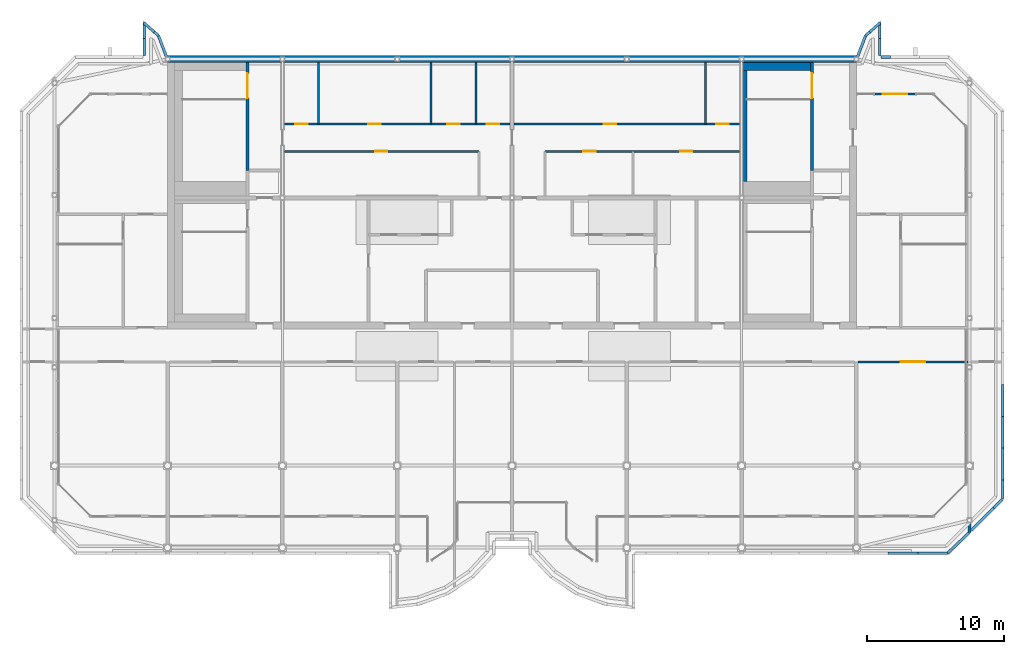
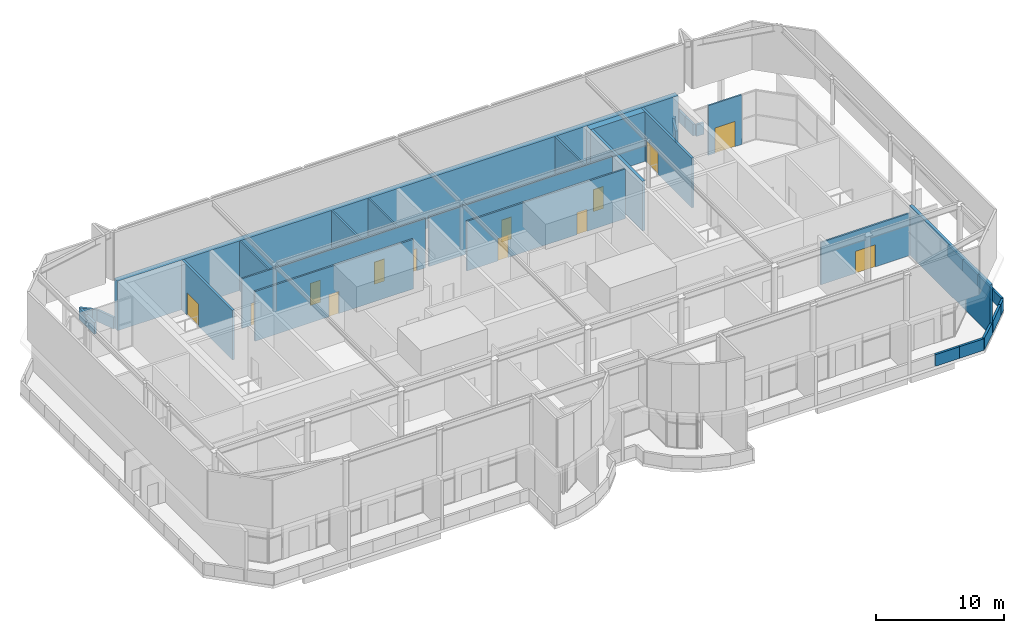
# One storey, part 22 of 25: 36 walls, 13 doors, 13 openings.
"""IFC4 building model written with IfcOpenShell, lengths in metres."""

import ifcopenshell
import ifcopenshell.guid

model = None  # the IFC model being written
_history = None  # IfcOwnerHistory: only IFC2X3 demands one
_inside = {}  # id of a spatial element -> (the spatial element, [elements in it])
_under = {}  # id of a project, library or spatial element -> (it, [spatial elements below it])
_declared = {}  # id of a project -> (the project, [libraries it declares])
_typed = {}  # id of a type object -> (the type object, [elements of that type])
_made_of = {}  # id of a material, layer set ... -> (it, [elements and type objects made of it])


def new_model(schema):
    """Start an empty IFC model of exactly this schema.

    Asked for "IFC4X3", IfcOpenShell would pick the latest addendum, in which some entities
    have other attributes; the version numbers below select the first issue.
    IFC2X3 requires an IfcOwnerHistory on every rooted entity: one is made here for all.
    """
    global model, _history
    if schema == "IFC4X3":
        model = ifcopenshell.file(schema_version=(4, 3, 0, 0))
    else:
        model = ifcopenshell.file(schema=schema)
    _inside.clear()
    _under.clear()
    _declared.clear()
    _typed.clear()
    _made_of.clear()
    _history = None
    if model.schema == "IFC2X3":
        org = make("IfcOrganization", Name="unknown")
        user = make(
            "IfcPersonAndOrganization",
            ThePerson=make("IfcPerson", FamilyName="unknown"),
            TheOrganization=org,
        )
        app = make(
            "IfcApplication",
            ApplicationDeveloper=org,
            Version="unknown",
            ApplicationFullName="unknown",
            ApplicationIdentifier="unknown",
        )
        _history = make(
            "IfcOwnerHistory",
            OwningUser=user,
            OwningApplication=app,
            ChangeAction="ADDED",
            CreationDate=0,
        )
    return model


def make(cls, **values):
    """One entity of the class cls with the attributes given. An attribute that is None is left unset."""
    return model.create_entity(
        cls, **{name: value for name, value in values.items() if value is not None}
    )


def rooted(cls, **values):
    """An entity with a GlobalId (a new one), such as an element, a storey or a relation."""
    return make(cls, GlobalId=ifcopenshell.guid.new(), OwnerHistory=_history, **values)


def si_unit(unit_type, name, prefix=None):
    """IfcSIUnit, for example si_unit("LENGTHUNIT", "METRE", prefix="MILLI")."""
    return make("IfcSIUnit", UnitType=unit_type, Prefix=prefix, Name=name)


def assignment(units):
    """IfcUnitAssignment: the units of a project."""
    return None if units is None else make("IfcUnitAssignment", Units=units)


def point(xyz):
    """IfcCartesianPoint."""
    return None if xyz is None else make("IfcCartesianPoint", Coordinates=xyz)


def direction(xyz):
    """IfcDirection."""
    return None if xyz is None else make("IfcDirection", DirectionRatios=xyz)


def frame(location, z_axis=None, x_axis=None):
    """IfcAxis2Placement3D, a coordinate frame: its origin and axes. An axis left out is left unset."""
    return make(
        "IfcAxis2Placement3D",
        Location=point(location),
        Axis=direction(z_axis),
        RefDirection=direction(x_axis),
    )


def frame_2d(location, x_axis=None):
    """IfcAxis2Placement2D, a coordinate frame in the plane: its origin and x axis."""
    return make(
        "IfcAxis2Placement2D", Location=point(location), RefDirection=direction(x_axis)
    )


def origin():
    """The frame at (0, 0, 0) with its axes left unset."""
    return frame((0.0, 0.0, 0.0))


def place(relative_to, where):
    """IfcLocalPlacement: puts the frame where relative to a parent placement (None: the world)."""
    return make(
        "IfcLocalPlacement", PlacementRelTo=relative_to, RelativePlacement=where
    )


def context(
    kind, dimensions, precision=None, world=None, true_north=None, identifier=None
):
    """IfcGeometricRepresentationContext, for example the 3D "Model" context."""
    return make(
        "IfcGeometricRepresentationContext",
        ContextIdentifier=identifier,
        ContextType=kind,
        CoordinateSpaceDimension=dimensions,
        Precision=precision,
        WorldCoordinateSystem=world,
        TrueNorth=true_north,
    )


def subcontext(parent, identifier, kind, view, scale=None):
    """IfcGeometricRepresentationSubContext, for example "Body" below "Model"."""
    return make(
        "IfcGeometricRepresentationSubContext",
        ContextIdentifier=identifier,
        ContextType=kind,
        ParentContext=parent,
        TargetScale=scale,
        TargetView=view,
    )


def project(units=None, contexts=None):
    """IfcProject with its units and contexts."""
    return rooted(
        "IfcProject",
        Name="project",
        RepresentationContexts=contexts,
        UnitsInContext=assignment(units),
    )


def spatial(cls, under=None, at=None, **own):
    """A site, building, storey or space (cls), placed at a placement, below another one or the project."""
    s = rooted(cls, ObjectPlacement=at, **own)
    if under is not None:
        _under.setdefault(under.id(), (under, []))[1].append(s)
    return s


def profile(cls, at=None, kind="AREA", **sizes):
    """A parametric profile (cls). Its sizes go by their IFC names, for example OverallWidth=200.0."""
    return make(cls, ProfileType=kind, Position=at, **sizes)


def rectangle(**sizes):
    """IfcRectangleProfileDef."""
    return profile("IfcRectangleProfileDef", **sizes)


def extrude(swept, where, along, depth):
    """IfcExtrudedAreaSolid: the profile swept, set in the frame where, extruded along a direction by depth."""
    return make(
        "IfcExtrudedAreaSolid",
        SweptArea=swept,
        Position=where,
        ExtrudedDirection=direction(along),
        Depth=depth,
    )


def shape(context_of_items, identifier, shape_type, items):
    """IfcShapeRepresentation: the items that make up one representation, for example the "Body"."""
    return make(
        "IfcShapeRepresentation",
        ContextOfItems=context_of_items,
        RepresentationIdentifier=identifier,
        RepresentationType=shape_type,
        Items=items,
    )


def source(mapping_origin, context_of_items, identifier, shape_type, items):
    """IfcRepresentationMap: a shape defined once, which mapped items show again and again."""
    return make(
        "IfcRepresentationMap",
        MappingOrigin=mapping_origin,
        MappedRepresentation=shape(context_of_items, identifier, shape_type, items),
    )


def transform(
    local_origin,
    x_axis=None,
    y_axis=None,
    z_axis=None,
    scale=None,
    scale2=None,
    scale3=None,
    uniform=True,
):
    """IfcCartesianTransformationOperator3D, or its non-uniform kind. x_axis, y_axis, z_axis: its Axis1, 2, 3."""
    if uniform:
        return make(
            "IfcCartesianTransformationOperator3D",
            Axis1=direction(x_axis),
            Axis2=direction(y_axis),
            LocalOrigin=point(local_origin),
            Scale=scale,
            Axis3=direction(z_axis),
        )
    return make(
        "IfcCartesianTransformationOperator3DnonUniform",
        Axis1=direction(x_axis),
        Axis2=direction(y_axis),
        LocalOrigin=point(local_origin),
        Scale=scale,
        Axis3=direction(z_axis),
        Scale2=scale2,
        Scale3=scale3,
    )


def mapped(mapping_source, mapping_target):
    """IfcMappedItem: shows the shape of a source again, moved by a transform."""
    return make(
        "IfcMappedItem", MappingSource=mapping_source, MappingTarget=mapping_target
    )


def material(Name=None, Category=None):
    """IfcMaterial."""
    return make("IfcMaterial", Name=Name, Category=Category)


def layer(
    of_material, thickness, ventilated=None, Name=None, Category=None, Priority=None
):
    """IfcMaterialLayer: one layer of a wall or slab, of a material (None: an air gap)."""
    return make(
        "IfcMaterialLayer",
        Material=of_material,
        LayerThickness=thickness,
        IsVentilated=ventilated,
        Name=Name,
        Category=Category,
        Priority=Priority,
    )


def layer_set(layers, Name=None):
    """IfcMaterialLayerSet."""
    return make("IfcMaterialLayerSet", MaterialLayers=layers, LayerSetName=Name)


def made_of(thing, what):
    """Note that an element or type object is made of a material, layer set ...; save() writes the relation."""
    if what is not None:
        _made_of.setdefault(what.id(), (what, []))[1].append(thing)
    return thing


def type_object(cls, material=None, **own):
    """A type object (cls), such as IfcWallType, which elements share."""
    return made_of(rooted(cls, **own), material)


def element(
    cls,
    number,
    at=None,
    inside=None,
    cuts=None,
    type_object=None,
    material=None,
    context=None,
    identifier="Body",
    shape_type=None,
    held_by="IfcProductDefinitionShape",
    body=None,
    shapes=None,
    **own,
):
    """One element of the class cls, such as IfcWall. Its Tag is "e" and its number.

    at: its placement. inside: the storey or other place that contains it. cuts: it is an
    opening in that element (IfcRelVoidsElement). A single representation is given by context,
    identifier, shape_type and body (its items); several are given by shapes. held_by: the class
    of the entity that holds the representations. save() writes the other relations.
    """
    e = rooted(cls, Tag="e%d" % number, ObjectPlacement=at, **own)
    if body is not None:
        shapes = [shape(context, identifier, shape_type, body)]
    if shapes is not None:
        e.Representation = make(held_by, Representations=shapes)
    if inside is not None:
        _inside.setdefault(inside.id(), (inside, []))[1].append(e)
    if cuts is not None:
        rooted(
            "IfcRelVoidsElement", RelatingBuildingElement=cuts, RelatedOpeningElement=e
        )
    if type_object is not None:
        _typed.setdefault(type_object.id(), (type_object, []))[1].append(e)
    return made_of(e, material)


def fill(opening, filler):
    """IfcRelFillsElement: the door or window that sits in an opening."""
    return rooted(
        "IfcRelFillsElement",
        RelatingOpeningElement=opening,
        RelatedBuildingElement=filler,
    )


def aggregate(whole, parts):
    """IfcRelAggregates: a whole, such as a stair, and the parts it consists of."""
    return rooted("IfcRelAggregates", RelatingObject=whole, RelatedObjects=parts)


def save(model, path):
    """Write the relations noted so far, then the file.

    IfcRelAggregates (storeys below a building ...), IfcRelContainedInSpatialStructure (elements
    in a storey), IfcRelDefinesByType, IfcRelAssociatesMaterial and IfcRelDeclares: one each for
    every whole, place, type object, material and project.
    """
    for whole, parts in _under.values():
        aggregate(whole, parts)
    for where, things in _inside.values():
        rooted(
            "IfcRelContainedInSpatialStructure",
            RelatedElements=things,
            RelatingStructure=where,
        )
    for kind, things in _typed.values():
        rooted("IfcRelDefinesByType", RelatedObjects=things, RelatingType=kind)
    for what, things in _made_of.values():
        rooted("IfcRelAssociatesMaterial", RelatedObjects=things, RelatingMaterial=what)
    for by, libraries in _declared.values():
        rooted("IfcRelDeclares", RelatingContext=by, RelatedDefinitions=libraries)
    model.write(path)


model = new_model("IFC4")

# Units and contexts
model_context = context("Model", 3, precision=1e-05, world=origin(), true_north=direction((0.0, 1.0)))
body_context = subcontext(model_context, "Body", "Model", "MODEL_VIEW")
ifc_project = project(units=[si_unit("LENGTHUNIT", "METRE"), si_unit("AREAUNIT", "SQUARE_METRE"), si_unit("VOLUMEUNIT", "CUBIC_METRE"), si_unit("PLANEANGLEUNIT", "RADIAN"), si_unit("MASSUNIT", "GRAM", prefix="KILO")], contexts=[model_context])

# Site, building, storey
site_placement = place(None, origin())
site = spatial("IfcSite", under=ifc_project, at=site_placement, CompositionType="ELEMENT")
building_placement = place(site_placement, origin())
building = spatial("IfcBuilding", under=site, at=building_placement, Name="Vanashikhar Sky Hotel", CompositionType="ELEMENT")
storey_placement = place(building_placement, frame((0.0, 0.0, 329.699951171875)))
storey = spatial("IfcBuildingStorey", under=building, at=storey_placement, Name="L78", CompositionType="ELEMENT", Elevation=329.699951171875)

# Walls
ifc_material_1 = material(Name="Concrete M50", Category="concrete")
ifc_layer_1 = layer(ifc_material_1, 0.5)
ifc_layer_set_1 = layer_set([ifc_layer_1], Name="RC core shell wall 500 Concrete M50")
wall_type_1 = type_object("IfcWallType", Name="RC core shell wall 500 Concrete M50", PredefinedType="SHEAR", material=ifc_layer_set_1)
shared_shape_1 = source(origin(), body_context, "Body", "SweptSolid", [
    extrude(rectangle(XDim=50.400146484375, YDim=0.5, at=frame_2d((25.2001953125, 0.0))), origin(), (0.0, 0.0, 1.0), 4.719970703125),
])
wall_1_placement = place(storey_placement, frame((25.199951171875, 41.75, 0.0), z_axis=(0.0, 0.0, 1.0), x_axis=(1.0, 0.0, 0.0)))
element("IfcWall", 1, at=wall_1_placement, inside=storey, type_object=wall_type_1, Name="KW-L78-KN", PredefinedType="SHEAR", context=body_context, shape_type="MappedRepresentation", body=[
    mapped(shared_shape_1, transform((0.0, 0.0, 0.0), scale=1.0)),
])
ifc_layer_2 = layer(ifc_material_1, 0.25)
ifc_layer_set_2 = layer_set([ifc_layer_2], Name="RC shear wall 250 Concrete M50")
wall_type_2 = type_object("IfcWallType", Name="RC shear wall 250 Concrete M50", PredefinedType="SHEAR", material=ifc_layer_set_2)
shared_shape_2 = source(origin(), body_context, "Body", "SweptSolid", [
    extrude(rectangle(XDim=12.5, YDim=0.25, at=frame_2d((6.25, 0.0))), origin(), (0.0, 0.0, 1.0), 4.719970703125),
])
wall_2_placement = place(storey_placement, frame((83.875, 7.10009765625, 0.0), z_axis=(0.0, 0.0, 1.0), x_axis=(0.0, 1.0, 0.0)))
element("IfcWall", 2, at=wall_2_placement, inside=storey, type_object=wall_type_2, Name="CW-L78-XW11-1", PredefinedType="SHEAR", context=body_context, shape_type="MappedRepresentation", body=[
    mapped(shared_shape_2, transform((0.0, 0.0, 0.0), scale=1.0)),
])
ifc_layer_3 = layer(ifc_material_1, 0.199951171875)
ifc_layer_set_3 = layer_set([ifc_layer_3], Name="Parapet 200")
wall_type_3 = type_object("IfcWallType", Name="Parapet 200", PredefinedType="PARAPET", material=ifc_layer_set_3)
shared_shape_3 = source(origin(), body_context, "Body", "SweptSolid", [
    extrude(rectangle(XDim=2.32421875, YDim=0.199951171875, at=frame_2d((1.162109375, 0.0))), origin(), (0.0, 0.0, 1.0), 1.10009765625),
])
for number, where, z_axis, x_axis, name in (
    (3, (86.300048828125, 15.614501953125, 0.0), (0.0, 0.0, 1.0), (0.0, -1.0, 0.0), "Lookout balustrade wall"),
    (4, (85.66357421875, 8.905029296875, 0.0), (0.0, 0.0, 1.0), (-0.707106781187, -0.707106781187, 0.0), "Lookout balustrade wall"),
):
    element("IfcWall", number, at=place(storey_placement, frame(where, z_axis=z_axis, x_axis=x_axis)), inside=storey, type_object=wall_type_3, Name=name, PredefinedType="PARAPET", context=body_context, shape_type="MappedRepresentation", body=[
        mapped(shared_shape_3, transform((0.0, 0.0, 0.0), scale=1.0)),
    ])
shared_shape_4 = source(origin(), body_context, "Body", "SweptSolid", [
    extrude(rectangle(XDim=0.858642578125, YDim=0.199951171875, at=frame_2d((0.42919921875, 0.0))), origin(), (0.0, 0.0, 1.0), 1.10009765625),
])
wall_3_placement = place(storey_placement, frame((86.270751953125, 9.51220703125, 0.0), z_axis=(0.0, 0.0, 1.0), x_axis=(-0.707106781187, -0.707106781187, 0.0)))
element("IfcWall", 5, at=wall_3_placement, inside=storey, type_object=wall_type_3, Name="Lookout balustrade wall", PredefinedType="PARAPET", context=body_context, shape_type="MappedRepresentation", body=[
    mapped(shared_shape_4, transform((0.0, 0.0, 0.0), scale=1.0)),
])
shared_shape_5 = source(origin(), body_context, "Body", "SweptSolid", [
    extrude(rectangle(XDim=1.383056640625, YDim=0.199951171875, at=frame_2d((0.69140625, 0.0))), origin(), (0.0, 0.0, 1.0), 1.10009765625),
])
wall_4_placement = place(storey_placement, frame((86.300048828125, 10.9658203125, 0.0), z_axis=(0.0, 0.0, 1.0), x_axis=(0.0, -1.0, 0.0)))
element("IfcWall", 6, at=wall_4_placement, inside=storey, type_object=wall_type_3, Name="Lookout balustrade wall", PredefinedType="PARAPET", context=body_context, shape_type="MappedRepresentation", body=[
    mapped(shared_shape_5, transform((0.0, 0.0, 0.0), scale=1.0)),
])
shared_shape_6 = source(origin(), body_context, "Body", "SweptSolid", [
    extrude(rectangle(XDim=2.324462890625, YDim=0.199951171875, at=frame_2d((1.162109375, 0.0))), origin(), (0.0, 0.0, 1.0), 1.10009765625),
])
for number, where, z_axis, x_axis, name in (
    (7, (86.300048828125, 17.93896484375, 0.0), (0.0, 0.0, 1.0), (0.0, -1.0, 0.0), "Lookout balustrade wall"),
    (8, (86.300048828125, 13.290283203125, 0.0), (0.0, 0.0, 1.0), (0.0, -1.0, 0.0), "Lookout balustrade wall"),
):
    element("IfcWall", number, at=place(storey_placement, frame(where, z_axis=z_axis, x_axis=x_axis)), inside=storey, type_object=wall_type_3, Name=name, PredefinedType="PARAPET", context=body_context, shape_type="MappedRepresentation", body=[
        mapped(shared_shape_6, transform((0.0, 0.0, 0.0), scale=1.0)),
    ])
shared_shape_7 = source(origin(), body_context, "Body", "SweptSolid", [
    extrude(rectangle(XDim=2.176513671875, YDim=0.199951171875, at=frame_2d((1.08837890625, 0.0))), origin(), (0.0, 0.0, 1.0), 1.10009765625),
])
wall_5_placement = place(storey_placement, frame((82.27490234375, 5.60009765625, 0.0), z_axis=(0.0, 0.0, 1.0), x_axis=(-1.0, 0.0, 0.0)))
element("IfcWall", 9, at=wall_5_placement, inside=storey, type_object=wall_type_3, Name="Lookout balustrade wall", PredefinedType="PARAPET", context=body_context, shape_type="MappedRepresentation", body=[
    mapped(shared_shape_7, transform((0.0, 0.0, 0.0), scale=1.0)),
])
shared_shape_8 = source(origin(), body_context, "Body", "SweptSolid", [
    extrude(rectangle(XDim=2.1767578125, YDim=0.199951171875, at=frame_2d((1.08837890625, 0.0))), origin(), (0.0, 0.0, 1.0), 1.10009765625),
])
wall_6_placement = place(storey_placement, frame((80.098388671875, 5.60009765625, 0.0), z_axis=(0.0, 0.0, 1.0), x_axis=(-1.0, 0.0, 0.0)))
element("IfcWall", 10, at=wall_6_placement, inside=storey, type_object=wall_type_3, Name="Lookout balustrade wall", PredefinedType="PARAPET", context=body_context, shape_type="MappedRepresentation", body=[
    mapped(shared_shape_8, transform((0.0, 0.0, 0.0), scale=1.0)),
])
shared_shape_9 = source(origin(), body_context, "Body", "SweptSolid", [
    extrude(rectangle(XDim=0.666259765625, YDim=0.199951171875, at=frame_2d((0.3330078125, 0.0))), origin(), (0.0, 0.0, 1.0), 1.10009765625),
])
wall_7_placement = place(storey_placement, frame((77.412109375, 41.89990234375, 0.0), z_axis=(0.0, 0.0, 1.0), x_axis=(1.0, 0.0, 0.0)))
element("IfcWall", 11, at=wall_7_placement, inside=storey, type_object=wall_type_3, Name="Lookout balustrade wall", PredefinedType="PARAPET", context=body_context, shape_type="MappedRepresentation", body=[
    mapped(shared_shape_9, transform((0.0, 0.0, 0.0), scale=1.0)),
])
shared_shape_10 = source(origin(), body_context, "Body", "SweptSolid", [
    extrude(rectangle(XDim=1.258056640625, YDim=0.199951171875, at=frame_2d((0.62890625, 0.0))), origin(), (0.0, 0.0, 1.0), 1.10009765625),
])
for number, where, z_axis, x_axis, name in (
    (12, (23.488037109375, 42.0, 0.0), (0.0, 0.0, 1.0), (0.0, 1.0, 0.0), "Lookout balustrade wall"),
    (13, (77.31201171875, 43.258056640625, 0.0), (0.0, 0.0, 1.0), (0.0, -1.0, 0.0), "Lookout balustrade wall"),
):
    element("IfcWall", number, at=place(storey_placement, frame(where, z_axis=z_axis, x_axis=x_axis)), inside=storey, type_object=wall_type_3, Name=name, PredefinedType="PARAPET", context=body_context, shape_type="MappedRepresentation", body=[
        mapped(shared_shape_10, transform((0.0, 0.0, 0.0), scale=1.0)),
    ])
shared_shape_11 = source(origin(), body_context, "Body", "SweptSolid", [
    extrude(rectangle(XDim=1.160400390625, YDim=0.199951171875, at=frame_2d((0.580078125, 0.0))), origin(), (0.0, 0.0, 1.0), 1.10009765625),
])
for number, where, z_axis, x_axis, name in (
    (14, (23.488037109375, 43.258056640625, 0.0), (0.0, 0.0, 1.0), (0.0, 1.0, 0.0), "Lookout balustrade wall"),
    (15, (77.31201171875, 44.41845703125, 0.0), (0.0, 0.0, 1.0), (0.0, -1.0, 0.0), "Lookout balustrade wall"),
):
    element("IfcWall", number, at=place(storey_placement, frame(where, z_axis=z_axis, x_axis=x_axis)), inside=storey, type_object=wall_type_3, Name=name, PredefinedType="PARAPET", context=body_context, shape_type="MappedRepresentation", body=[
        mapped(shared_shape_11, transform((0.0, 0.0, 0.0), scale=1.0)),
    ])
shared_shape_12 = source(origin(), body_context, "Body", "SweptSolid", [
    extrude(rectangle(XDim=1.024169921875, YDim=0.199951171875, at=frame_2d((0.51220703125, 0.0))), origin(), (0.0, 0.0, 1.0), 1.10009765625),
])
for number, where, z_axis, x_axis, name in (
    (16, (23.465576171875, 44.408203125, 0.0), (0.0, 0.0, 1.0), (0.749719578651, -0.661755659884, 0.0), "Lookout balustrade wall"),
    (17, (76.566650390625, 43.73046875, 0.0), (0.0, 0.0, 1.0), (0.749719578651, 0.661755659884, 0.0), "Lookout balustrade wall"),
):
    element("IfcWall", number, at=place(storey_placement, frame(where, z_axis=z_axis, x_axis=x_axis)), inside=storey, type_object=wall_type_3, Name=name, PredefinedType="PARAPET", context=body_context, shape_type="MappedRepresentation", body=[
        mapped(shared_shape_12, transform((0.0, 0.0, 0.0), scale=1.0)),
    ])
shared_shape_13 = source(origin(), body_context, "Body", "SweptSolid", [
    extrude(rectangle(XDim=0.37158203125, YDim=0.199951171875, at=frame_2d((0.185791015625, 0.0))), origin(), (0.0, 0.0, 1.0), 1.10009765625),
])
for number, where, z_axis, x_axis, name in (
    (18, (24.2333984375, 43.73046875, 0.0), (0.0, 0.0, 1.0), (0.749761145018, -0.661708565323, 0.0), "Lookout balustrade wall"),
    (19, (76.2880859375, 43.484619140625, 0.0), (0.0, 0.0, 1.0), (0.749761145018, 0.661708565323, 0.0), "Lookout balustrade wall"),
):
    element("IfcWall", number, at=place(storey_placement, frame(where, z_axis=z_axis, x_axis=x_axis)), inside=storey, type_object=wall_type_3, Name=name, PredefinedType="PARAPET", context=body_context, shape_type="MappedRepresentation", body=[
        mapped(shared_shape_13, transform((0.0, 0.0, 0.0), scale=1.0)),
    ])
shared_shape_14 = source(origin(), body_context, "Body", "SweptSolid", [
    extrude(rectangle(XDim=1.65478515625, YDim=0.199951171875, at=frame_2d((0.827392578125, 0.0))), origin(), (0.0, 0.0, 1.0), 1.10009765625),
])
wall_8_placement = place(storey_placement, frame((24.539306640625, 43.4453125, 0.0), z_axis=(0.0, 0.0, 1.0), x_axis=(0.357614417071, -0.933869331707, 0.0)))
element("IfcWall", 20, at=wall_8_placement, inside=storey, type_object=wall_type_3, Name="Lookout balustrade wall", PredefinedType="PARAPET", context=body_context, shape_type="MappedRepresentation", body=[
    mapped(shared_shape_14, transform((0.0, 0.0, 0.0), scale=1.0)),
])
shared_shape_15 = source(origin(), body_context, "Body", "SweptSolid", [
    extrude(rectangle(XDim=1.655029296875, YDim=0.199951171875, at=frame_2d((0.82763671875, 0.0))), origin(), (0.0, 0.0, 1.0), 1.10009765625),
])
wall_9_placement = place(storey_placement, frame((75.668701171875, 41.89990234375, 0.0), z_axis=(0.0, 0.0, 1.0), x_axis=(0.357743070171, 0.933820055334, 0.0)))
element("IfcWall", 21, at=wall_9_placement, inside=storey, type_object=wall_type_3, Name="Lookout balustrade wall", PredefinedType="PARAPET", context=body_context, shape_type="MappedRepresentation", body=[
    mapped(shared_shape_15, transform((0.0, 0.0, 0.0), scale=1.0)),
])
shared_shape_16 = source(origin(), body_context, "Body", "SweptSolid", [
    extrude(rectangle(XDim=2.153076171875, YDim=0.199951171875, at=frame_2d((1.07666015625, 0.0))), origin(), (0.0, 0.0, 1.0), 1.10009765625),
])
wall_10_placement = place(storey_placement, frame((83.838623046875, 7.080078125, 0.0), z_axis=(0.0, 0.0, 1.0), x_axis=(-0.726286323397, -0.687392301707, 0.0)))
element("IfcWall", 22, at=wall_10_placement, inside=storey, type_object=wall_type_3, Name="Lookout balustrade wall", PredefinedType="PARAPET", context=body_context, shape_type="MappedRepresentation", body=[
    mapped(shared_shape_16, transform((0.0, 0.0, 0.0), scale=1.0)),
])

# Wall, opening, door
ifc_material_2 = material(Name="Aluminium", Category="aluminium")
ifc_layer_4 = layer(ifc_material_2, 0.14990234375)
ifc_layer_set_4 = layer_set([ifc_layer_4], Name="Aluminium framed infill wall 150")
wall_type_4 = type_object("IfcWallType", Name="Aluminium framed infill wall 150", PredefinedType="SOLIDWALL", material=ifc_layer_set_4)
shared_shape_17 = source(origin(), body_context, "Body", "SweptSolid", [
    extrude(rectangle(XDim=3.0, YDim=0.14990234375, at=frame_2d((1.5, 0.0))), origin(), (0.0, 0.0, 1.0), 4.719970703125),
])
wall_11_placement = place(storey_placement, frame((79.93017578125, 39.199951171875, 0.0), z_axis=(0.0, 0.0, 1.0), x_axis=(-1.0, 0.0, 0.0)))
wall_11 = element("IfcWall", 23, at=wall_11_placement, inside=storey, type_object=wall_type_4, Name="Lounge door wall", PredefinedType="SOLIDWALL", context=body_context, shape_type="MappedRepresentation", body=[
    mapped(shared_shape_17, transform((0.0, 0.0, 0.0), scale=1.0)),
])
shared_shape_18 = source(origin(), body_context, "Body", "SweptSolid", [
    extrude(rectangle(XDim=1.800048828125, YDim=2.39990234375, at=frame_2d((0.89990234375, 1.199951171875))), frame((0.0, 0.0849609375, 0.0), z_axis=(0.0, -1.0, 0.0), x_axis=(1.0, 0.0, 0.0)), (0.0, 0.0, 1.0), 0.169921875),
])
opening_1_placement = place(wall_11_placement, frame((0.60009765625, 0.0, 0.0)))
opening_1 = element("IfcOpeningElement", 24, at=opening_1_placement, cuts=wall_11, Name="Opening LD-07", PredefinedType="OPENING", context=body_context, shape_type="MappedRepresentation", body=[
    mapped(shared_shape_18, transform((0.0, 0.0, 0.0), scale=1.0)),
])
door_type_1 = type_object("IfcDoorType", Name="Lookout sliding door 1800 x 2400", OperationType="NOTDEFINED", PredefinedType="DOOR", material=ifc_material_2)
shared_shape_19 = source(origin(), body_context, "Body", "SweptSolid", [
    extrude(rectangle(XDim=1.800048828125, YDim=2.39990234375, at=frame_2d((0.89990234375, 1.199951171875))), frame((0.0, 0.02490234375, 0.0), z_axis=(0.0, -1.0, 0.0), x_axis=(1.0, 0.0, 0.0)), (0.0, 0.0, 1.0), 0.050048828125),
])
door_1_placement = place(opening_1_placement, origin())
door_1 = element("IfcDoor", 25, at=door_1_placement, inside=storey, type_object=door_type_1, Name="Lookout sliding door", OperationType="SLIDING_TO_LEFT", OverallHeight=2.39990234375, OverallWidth=1.800048828125, PredefinedType="DOOR", context=body_context, shape_type="MappedRepresentation", body=[
    mapped(shared_shape_19, transform((0.0, 0.0, 0.0), scale=1.0)),
])
fill(opening_1, door_1)

ifc_material_3 = material(Name="Gypsum board partition")
ifc_layer_5 = layer(ifc_material_3, 0.14990234375)
ifc_layer_set_5 = layer_set([ifc_layer_5], Name="Service partition 150")
wall_type_5 = type_object("IfcWallType", Name="Service partition 150", PredefinedType="PARTITIONING", material=ifc_layer_set_5)
shared_shape_20 = source(origin(), body_context, "Body", "SweptSolid", [
    extrude(rectangle(XDim=14.25, YDim=0.14990234375, at=frame_2d((7.125, 0.0))), origin(), (0.0, 0.0, 1.0), 4.719970703125),
])
wall_12_placement = place(storey_placement, frame((33.75, 35.0, 0.0), z_axis=(0.0, 0.0, 1.0), x_axis=(1.0, 0.0, 0.0)))
wall_12 = element("IfcWall", 26, at=wall_12_placement, inside=storey, type_object=wall_type_5, Name="Service partition 150", PredefinedType="PARTITIONING", context=body_context, shape_type="MappedRepresentation", body=[
    mapped(shared_shape_20, transform((0.0, 0.0, 0.0), scale=1.0)),
])
shared_shape_21 = source(origin(), body_context, "Body", "SweptSolid", [
    extrude(rectangle(XDim=0.89990234375, YDim=2.10009765625, at=frame_2d((0.449951171875, 1.050048828125))), frame((0.0, 0.0849609375, 0.0), z_axis=(0.0, -1.0, 0.0), x_axis=(1.0, 0.0, 0.0)), (0.0, 0.0, 1.0), 0.169921875),
])
opening_2_placement = place(wall_12_placement, frame((6.636962890625, 0.0, 0.0)))
opening_2 = element("IfcOpeningElement", 27, at=opening_2_placement, cuts=wall_12, Name="Opening DC-4-A", PredefinedType="OPENING", context=body_context, shape_type="MappedRepresentation", body=[
    mapped(shared_shape_21, transform((0.0, 0.0, 0.0), scale=1.0)),
])
ifc_material_4 = material(Name="Steel", Category="steel")
door_type_2 = type_object("IfcDoorType", Name="Service door 900 FD60", OperationType="NOTDEFINED", PredefinedType="DOOR", material=ifc_material_4)
shared_shape_22 = source(origin(), body_context, "Body", "SweptSolid", [
    extrude(rectangle(XDim=0.89990234375, YDim=2.10009765625, at=frame_2d((0.449951171875, 1.050048828125))), frame((0.0, 0.02490234375, 0.0), z_axis=(0.0, -1.0, 0.0), x_axis=(1.0, 0.0, 0.0)), (0.0, 0.0, 1.0), 0.050048828125),
])
door_2_placement = place(opening_2_placement, origin())
door_2 = element("IfcDoor", 28, at=door_2_placement, inside=storey, type_object=door_type_2, Name="Service door 900 FD60", OperationType="SINGLE_SWING_LEFT", OverallHeight=2.10009765625, OverallWidth=0.89990234375, PredefinedType="DOOR", context=body_context, shape_type="MappedRepresentation", body=[
    mapped(shared_shape_22, transform((0.0, 0.0, 0.0), scale=1.0)),
])
fill(opening_2, door_2)

# Wall, openings, doors
wall_13_placement = place(storey_placement, frame((67.050048828125, 35.0, 0.0), z_axis=(0.0, 0.0, 1.0), x_axis=(-1.0, 0.0, 0.0)))
wall_13 = element("IfcWall", 29, at=wall_13_placement, inside=storey, type_object=wall_type_5, Name="Service partition 150", PredefinedType="PARTITIONING", context=body_context, shape_type="MappedRepresentation", body=[
    mapped(shared_shape_20, transform((0.0, 0.0, 0.0), scale=1.0)),
])
opening_3_placement = place(wall_13_placement, frame((3.447998046875, 0.0, 0.0)))
opening_3 = element("IfcOpeningElement", 30, at=opening_3_placement, cuts=wall_13, Name="Opening DC-4-A", PredefinedType="OPENING", context=body_context, shape_type="MappedRepresentation", body=[
    mapped(shared_shape_21, transform((0.0, 0.0, 0.0), scale=1.0)),
])
opening_4_placement = place(wall_13_placement, frame((10.535888671875, 0.0, 0.0)))
opening_4 = element("IfcOpeningElement", 31, at=opening_4_placement, cuts=wall_13, Name="Opening DC-4-A", PredefinedType="OPENING", context=body_context, shape_type="MappedRepresentation", body=[
    mapped(shared_shape_21, transform((0.0, 0.0, 0.0), scale=1.0)),
])
door_3_placement = place(opening_3_placement, origin())
door_3 = element("IfcDoor", 32, at=door_3_placement, inside=storey, type_object=door_type_2, Name="Service door 900 FD60", OperationType="SINGLE_SWING_LEFT", OverallHeight=2.10009765625, OverallWidth=0.89990234375, PredefinedType="DOOR", context=body_context, shape_type="MappedRepresentation", body=[
    mapped(shared_shape_22, transform((0.0, 0.0, 0.0), scale=1.0)),
])
fill(opening_3, door_3)
door_4_placement = place(opening_4_placement, origin())
door_4 = element("IfcDoor", 33, at=door_4_placement, inside=storey, type_object=door_type_2, Name="Service door 900 FD60", OperationType="SINGLE_SWING_LEFT", OverallHeight=2.10009765625, OverallWidth=0.89990234375, PredefinedType="DOOR", context=body_context, shape_type="MappedRepresentation", body=[
    mapped(shared_shape_22, transform((0.0, 0.0, 0.0), scale=1.0)),
])
fill(opening_4, door_4)

shared_shape_23 = source(origin(), body_context, "Body", "SweptSolid", [
    extrude(rectangle(XDim=16.5, YDim=0.14990234375, at=frame_2d((8.25, 0.0))), origin(), (0.0, 0.0, 1.0), 4.719970703125),
])
wall_14_placement = place(storey_placement, frame((33.75, 37.0, 0.0), z_axis=(0.0, 0.0, 1.0), x_axis=(1.0, 0.0, 0.0)))
wall_14 = element("IfcWall", 34, at=wall_14_placement, inside=storey, type_object=wall_type_5, Name="Service partition 150", PredefinedType="PARTITIONING", context=body_context, shape_type="MappedRepresentation", body=[
    mapped(shared_shape_23, transform((0.0, 0.0, 0.0), scale=1.0)),
])
opening_5_placement = place(wall_14_placement, frame((0.787109375, 0.0, 0.0)))
opening_5 = element("IfcOpeningElement", 35, at=opening_5_placement, cuts=wall_14, Name="Opening DC-4-A", PredefinedType="OPENING", context=body_context, shape_type="MappedRepresentation", body=[
    mapped(shared_shape_21, transform((0.0, 0.0, 0.0), scale=1.0)),
])
opening_6_placement = place(wall_14_placement, frame((6.14990234375, 0.0, 0.0)))
opening_6 = element("IfcOpeningElement", 36, at=opening_6_placement, cuts=wall_14, Name="Opening DC-4-A", PredefinedType="OPENING", context=body_context, shape_type="MappedRepresentation", body=[
    mapped(shared_shape_21, transform((0.0, 0.0, 0.0), scale=1.0)),
])
opening_7_placement = place(wall_14_placement, frame((11.925048828125, 0.0, 0.0)))
opening_7 = element("IfcOpeningElement", 37, at=opening_7_placement, cuts=wall_14, Name="Opening DC-4-A", PredefinedType="OPENING", context=body_context, shape_type="MappedRepresentation", body=[
    mapped(shared_shape_21, transform((0.0, 0.0, 0.0), scale=1.0)),
])
opening_8_placement = place(wall_14_placement, frame((14.81298828125, 0.0, 0.0)))
opening_8 = element("IfcOpeningElement", 38, at=opening_8_placement, cuts=wall_14, Name="Opening DC-4-A", PredefinedType="OPENING", context=body_context, shape_type="MappedRepresentation", body=[
    mapped(shared_shape_21, transform((0.0, 0.0, 0.0), scale=1.0)),
])
door_5_placement = place(opening_5_placement, origin())
door_5 = element("IfcDoor", 39, at=door_5_placement, inside=storey, type_object=door_type_2, Name="Service door 900 FD60", OperationType="SINGLE_SWING_RIGHT", OverallHeight=2.10009765625, OverallWidth=0.89990234375, PredefinedType="DOOR", context=body_context, shape_type="MappedRepresentation", body=[
    mapped(shared_shape_22, transform((0.0, 0.0, 0.0), scale=1.0)),
])
fill(opening_5, door_5)
door_6_placement = place(opening_6_placement, origin())
door_6 = element("IfcDoor", 40, at=door_6_placement, inside=storey, type_object=door_type_2, Name="Service door 900 FD60", OperationType="SINGLE_SWING_LEFT", OverallHeight=2.10009765625, OverallWidth=0.89990234375, PredefinedType="DOOR", context=body_context, shape_type="MappedRepresentation", body=[
    mapped(shared_shape_22, transform((0.0, 0.0, 0.0), scale=1.0)),
])
fill(opening_6, door_6)
door_7_placement = place(opening_7_placement, origin())
door_7 = element("IfcDoor", 41, at=door_7_placement, inside=storey, type_object=door_type_2, Name="Service door 900 FD60", OperationType="SINGLE_SWING_LEFT", OverallHeight=2.10009765625, OverallWidth=0.89990234375, PredefinedType="DOOR", context=body_context, shape_type="MappedRepresentation", body=[
    mapped(shared_shape_22, transform((0.0, 0.0, 0.0), scale=1.0)),
])
fill(opening_7, door_7)
door_8_placement = place(opening_8_placement, origin())
door_8 = element("IfcDoor", 42, at=door_8_placement, inside=storey, type_object=door_type_2, Name="Service door 900 FD60", OperationType="SINGLE_SWING_LEFT", OverallHeight=2.10009765625, OverallWidth=0.89990234375, PredefinedType="DOOR", context=body_context, shape_type="MappedRepresentation", body=[
    mapped(shared_shape_22, transform((0.0, 0.0, 0.0), scale=1.0)),
])
fill(opening_8, door_8)

wall_15_placement = place(storey_placement, frame((67.050048828125, 37.0, 0.0), z_axis=(0.0, 0.0, 1.0), x_axis=(-1.0, 0.0, 0.0)))
wall_15 = element("IfcWall", 43, at=wall_15_placement, inside=storey, type_object=wall_type_5, Name="Service partition 150", PredefinedType="PARTITIONING", context=body_context, shape_type="MappedRepresentation", body=[
    mapped(shared_shape_23, transform((0.0, 0.0, 0.0), scale=1.0)),
])
opening_9_placement = place(wall_15_placement, frame((0.7880859375, 0.0, 0.0)))
opening_9 = element("IfcOpeningElement", 44, at=opening_9_placement, cuts=wall_15, Name="Opening DC-4-A", PredefinedType="OPENING", context=body_context, shape_type="MappedRepresentation", body=[
    mapped(shared_shape_21, transform((0.0, 0.0, 0.0), scale=1.0)),
])
opening_10_placement = place(wall_15_placement, frame((9.0380859375, 0.0, 0.0)))
opening_10 = element("IfcOpeningElement", 45, at=opening_10_placement, cuts=wall_15, Name="Opening DC-4-A", PredefinedType="OPENING", context=body_context, shape_type="MappedRepresentation", body=[
    mapped(shared_shape_21, transform((0.0, 0.0, 0.0), scale=1.0)),
])
door_9_placement = place(opening_9_placement, origin())
door_9 = element("IfcDoor", 46, at=door_9_placement, inside=storey, type_object=door_type_2, Name="Service door 900 FD60", OperationType="SINGLE_SWING_LEFT", OverallHeight=2.10009765625, OverallWidth=0.89990234375, PredefinedType="DOOR", context=body_context, shape_type="MappedRepresentation", body=[
    mapped(shared_shape_22, transform((0.0, 0.0, 0.0), scale=1.0)),
])
fill(opening_9, door_9)
door_10_placement = place(opening_10_placement, origin())
door_10 = element("IfcDoor", 47, at=door_10_placement, inside=storey, type_object=door_type_2, Name="Service door 900 FD60", OperationType="SINGLE_SWING_RIGHT", OverallHeight=2.10009765625, OverallWidth=0.89990234375, PredefinedType="DOOR", context=body_context, shape_type="MappedRepresentation", body=[
    mapped(shared_shape_22, transform((0.0, 0.0, 0.0), scale=1.0)),
])
fill(opening_10, door_10)

# Walls
shared_shape_24 = source(origin(), body_context, "Body", "SweptSolid", [
    extrude(rectangle(XDim=4.5, YDim=0.14990234375, at=frame_2d((2.25, 0.0))), origin(), (0.0, 0.0, 1.0), 4.719970703125),
])
for number, where, z_axis, x_axis, name in (
    (48, (36.22509765625, 37.0, 0.0), (0.0, 0.0, 1.0), (0.0, 1.0, 0.0), "Service partition 150"),
    (49, (44.47509765625, 37.0, 0.0), (0.0, 0.0, 1.0), (0.0, 1.0, 0.0), "Service partition 150"),
    (50, (47.77490234375, 37.0, 0.0), (0.0, 0.0, 1.0), (0.0, 1.0, 0.0), "Service partition 150"),
    (51, (64.574951171875, 37.0, 0.0), (0.0, 0.0, 1.0), (0.0, 1.0, 0.0), "Service partition 150"),
):
    element("IfcWall", number, at=place(storey_placement, frame(where, z_axis=z_axis, x_axis=x_axis)), inside=storey, type_object=wall_type_5, Name=name, PredefinedType="PARTITIONING", context=body_context, shape_type="MappedRepresentation", body=[
        mapped(shared_shape_24, transform((0.0, 0.0, 0.0), scale=1.0)),
    ])

# Wall, opening, door
ifc_layer_6 = layer(ifc_material_1, 0.199951171875)
ifc_layer_set_6 = layer_set([ifc_layer_6], Name="Stair wall 200")
wall_type_6 = type_object("IfcWallType", Name="Stair wall 200", PredefinedType="SOLIDWALL", material=ifc_layer_set_6)
shared_shape_25 = source(origin(), body_context, "Body", "SweptSolid", [
    extrude(rectangle(XDim=7.89990234375, YDim=0.199951171875, at=frame_2d((3.949951171875, 0.0))), origin(), (0.0, 0.0, 1.0), 4.719970703125),
])
wall_16_placement = place(storey_placement, frame((31.050048828125, 33.60009765625, 0.0), z_axis=(0.0, 0.0, 1.0), x_axis=(0.0, 1.0, 0.0)))
wall_16 = element("IfcWall", 52, at=wall_16_placement, inside=storey, type_object=wall_type_6, Name="Stair wall 200", PredefinedType="SOLIDWALL", context=body_context, shape_type="MappedRepresentation", body=[
    mapped(shared_shape_25, transform((0.0, 0.0, 0.0), scale=1.0)),
])
shared_shape_26 = source(origin(), body_context, "Body", "SweptSolid", [
    extrude(rectangle(XDim=1.800048828125, YDim=2.10009765625, at=frame_2d((0.89990234375, 1.050048828125))), frame((0.0, 0.10986328125, 0.0), z_axis=(0.0, -1.0, 0.0), x_axis=(1.0, 0.0, 0.0)), (0.0, 0.0, 1.0), 0.219970703125),
])
opening_11_placement = place(wall_16_placement, frame((5.300048828125, 0.0, 0.0)))
opening_11 = element("IfcOpeningElement", 53, at=opening_11_placement, cuts=wall_16, Name="Opening DC-1-A", PredefinedType="OPENING", context=body_context, shape_type="MappedRepresentation", body=[
    mapped(shared_shape_26, transform((0.0, 0.0, 0.0), scale=1.0)),
])
door_type_3 = type_object("IfcDoorType", Name="Stair door 1800 FD120", OperationType="NOTDEFINED", PredefinedType="DOOR", material=ifc_material_4)
shared_shape_27 = source(origin(), body_context, "Body", "SweptSolid", [
    extrude(rectangle(XDim=1.800048828125, YDim=2.10009765625, at=frame_2d((0.89990234375, 1.050048828125))), frame((0.0, 0.02490234375, 0.0), z_axis=(0.0, -1.0, 0.0), x_axis=(1.0, 0.0, 0.0)), (0.0, 0.0, 1.0), 0.050048828125),
])
door_11_placement = place(opening_11_placement, origin())
door_11 = element("IfcDoor", 54, at=door_11_placement, inside=storey, type_object=door_type_3, Name="Stair door 1800 FD120", OperationType="SINGLE_SWING_RIGHT", OverallHeight=2.10009765625, OverallWidth=1.800048828125, PredefinedType="DOOR", context=body_context, shape_type="MappedRepresentation", body=[
    mapped(shared_shape_27, transform((0.0, 0.0, 0.0), scale=1.0)),
])
fill(opening_11, door_11)

wall_17_placement = place(storey_placement, frame((72.35009765625, 33.60009765625, 0.0), z_axis=(0.0, 0.0, 1.0), x_axis=(0.0, 1.0, 0.0)))
wall_17 = element("IfcWall", 55, at=wall_17_placement, inside=storey, type_object=wall_type_6, Name="Stair wall 200", PredefinedType="SOLIDWALL", context=body_context, shape_type="MappedRepresentation", body=[
    mapped(shared_shape_25, transform((0.0, 0.0, 0.0), scale=1.0)),
])
opening_12_placement = place(wall_17_placement, frame((5.300048828125, 0.0, 0.0)))
opening_12 = element("IfcOpeningElement", 56, at=opening_12_placement, cuts=wall_17, Name="Opening DC-1-A", PredefinedType="OPENING", context=body_context, shape_type="MappedRepresentation", body=[
    mapped(shared_shape_26, transform((0.0, 0.0, 0.0), scale=1.0)),
])
door_12_placement = place(opening_12_placement, origin())
door_12 = element("IfcDoor", 57, at=door_12_placement, inside=storey, type_object=door_type_3, Name="Stair door 1800 FD120", OperationType="SINGLE_SWING_RIGHT", OverallHeight=2.10009765625, OverallWidth=1.800048828125, PredefinedType="DOOR", context=body_context, shape_type="MappedRepresentation", body=[
    mapped(shared_shape_27, transform((0.0, 0.0, 0.0), scale=1.0)),
])
fill(opening_12, door_12)

# Walls
ifc_layer_7 = layer(ifc_material_1, 0.60009765625)
ifc_layer_set_7 = layer_set([ifc_layer_7], Name="Stair infill wall 600")
wall_type_7 = type_object("IfcWallType", Name="Stair infill wall 600", PredefinedType="SOLIDWALL", material=ifc_layer_set_7)
shared_shape_28 = source(origin(), body_context, "Body", "SweptSolid", [
    extrude(rectangle(XDim=4.89990234375, YDim=0.60009765625, at=frame_2d((2.449951171875, 0.0))), origin(), (0.0, 0.0, 1.0), 4.719970703125),
])
wall_18_placement = place(storey_placement, frame((67.35009765625, 41.199951171875, 0.0), z_axis=(0.0, 0.0, 1.0), x_axis=(1.0, 0.0, 0.0)))
element("IfcWall", 58, at=wall_18_placement, inside=storey, type_object=wall_type_7, Name="Stair infill wall 600", PredefinedType="SOLIDWALL", context=body_context, shape_type="MappedRepresentation", body=[
    mapped(shared_shape_28, transform((0.0, 0.0, 0.0), scale=1.0)),
])
ifc_layer_8 = layer(ifc_material_1, 0.25)
ifc_layer_set_8 = layer_set([ifc_layer_8], Name="Stair infill wall 250")
wall_type_8 = type_object("IfcWallType", Name="Stair infill wall 250", PredefinedType="SOLIDWALL", material=ifc_layer_set_8)
shared_shape_29 = source(origin(), body_context, "Body", "SweptSolid", [
    extrude(rectangle(XDim=8.099853515625, YDim=0.25, at=frame_2d((4.0498046875, 0.0))), origin(), (0.0, 0.0, 1.0), 4.719970703125),
])
wall_19_placement = place(storey_placement, frame((67.47509765625, 32.800048828125, 0.0), z_axis=(0.0, 0.0, 1.0), x_axis=(0.0, 1.0, 0.0)))
element("IfcWall", 59, at=wall_19_placement, inside=storey, type_object=wall_type_8, Name="Stair infill wall 250", PredefinedType="SOLIDWALL", context=body_context, shape_type="MappedRepresentation", body=[
    mapped(shared_shape_29, transform((0.0, 0.0, 0.0), scale=1.0)),
])

# Wall, opening, door
ifc_material_5 = material(Name="Gypsum plasterboard partition")
ifc_layer_9 = layer(ifc_material_5, 0.14990234375)
ifc_layer_set_9 = layer_set([ifc_layer_9], Name="Corridor and demising partition 150")
wall_type_9 = type_object("IfcWallType", Name="Corridor and demising partition 150", PredefinedType="PARTITIONING", material=ifc_layer_set_9)
shared_shape_30 = source(origin(), body_context, "Body", "SweptSolid", [
    extrude(rectangle(XDim=8.02490234375, YDim=0.14990234375, at=frame_2d((4.012451171875, 0.0))), origin(), (0.0, 0.0, 1.0), 4.02001953125),
])
wall_20_placement = place(storey_placement, frame((75.72509765625, 19.60009765625, 0.0), z_axis=(0.0, 0.0, 1.0), x_axis=(1.0, 0.0, 0.0)))
wall_20 = element("IfcWall", 60, at=wall_20_placement, inside=storey, type_object=wall_type_9, Name="W-L78-PW010", PredefinedType="PARTITIONING", context=body_context, shape_type="MappedRepresentation", body=[
    mapped(shared_shape_30, transform((0.0, 0.0, 0.0), scale=1.0)),
])
shared_shape_31 = source(origin(), body_context, "Body", "SweptSolid", [
    extrude(rectangle(XDim=1.800048828125, YDim=2.10009765625, at=frame_2d((0.89990234375, 1.050048828125))), frame((0.0, 0.0849609375, 0.0), z_axis=(0.0, -1.0, 0.0), x_axis=(1.0, 0.0, 0.0)), (0.0, 0.0, 1.0), 0.169921875),
])
opening_13_placement = place(wall_20_placement, frame((3.112060546875, 0.0, 0.0)))
opening_13 = element("IfcOpeningElement", 61, at=opening_13_placement, cuts=wall_20, Name="Opening D-03", PredefinedType="OPENING", context=body_context, shape_type="MappedRepresentation", body=[
    mapped(shared_shape_31, transform((0.0, 0.0, 0.0), scale=1.0)),
])
ifc_material_6 = material(Name="Timber fire door", Category="wood")
door_type_4 = type_object("IfcDoorType", Name="Double leaf door 1800 FD30S", OperationType="NOTDEFINED", PredefinedType="DOOR", material=ifc_material_6)
door_13_placement = place(opening_13_placement, origin())
door_13 = element("IfcDoor", 62, at=door_13_placement, inside=storey, type_object=door_type_4, Name="D-L78-009", OperationType="DOUBLE_DOOR_SINGLE_SWING", OverallHeight=2.10009765625, OverallWidth=1.800048828125, PredefinedType="DOOR", context=body_context, shape_type="MappedRepresentation", body=[
    mapped(shared_shape_27, transform((0.0, 0.0, 0.0), scale=1.0)),
])
fill(opening_13, door_13)

save(model, "model.ifc")
